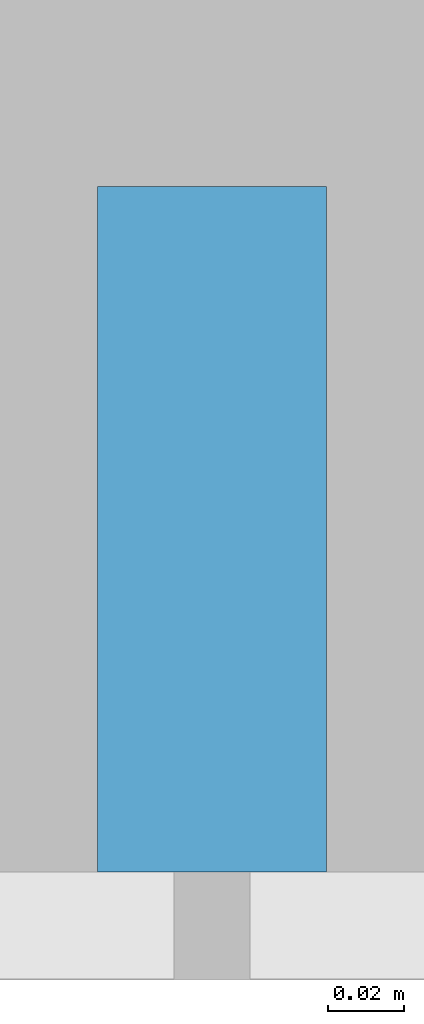
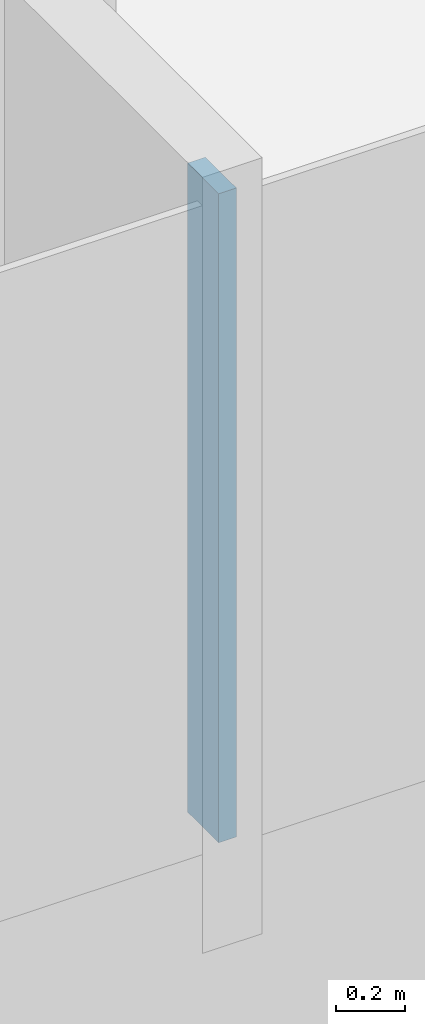
# One storey, part 3 of 26: 1 member, 1 element without a shape of its own.
"""IFC4 building model written with IfcOpenShell, lengths in metres."""

from ifc_helpers import new_model, si_unit, direction, frame, origin, origin_2d, place, context, subcontext, project, spatial, rectangle, extrude, material, layer, layer_set, material_profile, profile_set, type_object, element, aggregate, save


model = new_model("IFC4")

# Units and contexts
model_context = context("Model", 3, precision=1e-05, world=origin(), true_north=direction((0.0, 1.0)))
body_context = subcontext(model_context, "Body", "Model", "MODEL_VIEW")
ifc_project = project(units=[si_unit("LENGTHUNIT", "METRE"), si_unit("AREAUNIT", "SQUARE_METRE"), si_unit("VOLUMEUNIT", "CUBIC_METRE"), si_unit("PLANEANGLEUNIT", "RADIAN"), si_unit("MASSUNIT", "GRAM", prefix="KILO")], contexts=[model_context])

# Site, building, storey
site_placement = place(None, origin())
site = spatial("IfcSite", under=ifc_project, at=site_placement, CompositionType="ELEMENT")
building_placement = place(site_placement, origin())
building = spatial("IfcBuilding", under=site, at=building_placement, Name="Hakoniwa Tower and Hamabe Station Hall", CompositionType="ELEMENT")
storey_placement = place(building_placement, frame((0.0, 0.0, 199.39990234375)))
storey = spatial("IfcBuildingStorey", under=building, at=storey_placement, Name="L56", CompositionType="ELEMENT", Elevation=199.39990234375)

# Curtain wall, member
ifc_material_1 = material(Name="Dark low-e laminated glass", Category="glass")
ifc_layer = layer(ifc_material_1, 0.199951171875)
ifc_layer_set = layer_set([ifc_layer], Name="CW-1 UNITISED GUEST")
curtain_wall_type = type_object("IfcCurtainWallType", Name="CW-1 UNITISED GUEST", PredefinedType="NOTDEFINED", material=ifc_layer_set)
curtain_wall_placement = place(storey_placement, origin())
curtain_wall = element("IfcCurtainWall", 1, at=curtain_wall_placement, inside=storey, type_object=curtain_wall_type, Name="CW-1 curtain wall", PredefinedType="NOTDEFINED")
ifc_material_2 = material(Name="Aluminium 6063-T5 black anodised", Category="aluminium")
ifc_material_profile = material_profile(ifc_material_2, rectangle(XDim=0.06005859375, YDim=0.179931640625, at=origin_2d()), Name="CW-1 MULLION 60X180")
ifc_profile_set = profile_set([ifc_material_profile], Name="Aluminium 6063-T5 black anodised")
member_type = type_object("IfcMemberType", Name="CW-1 MULLION 60X180", PredefinedType="MULLION", material=ifc_profile_set)
member_placement = place(storey_placement, frame((0.0, -15.431884765625, 0.35009765625), z_axis=(0.0, 0.0, 1.0), x_axis=(1.0, 0.0, 0.0)))
member = element("IfcMember", 2, at=member_placement, type_object=member_type, Name="CW-1 mullion", PredefinedType="MULLION", context=body_context, shape_type="SweptSolid", body=[
    extrude(rectangle(XDim=0.06005859375, YDim=0.179931640625, at=origin_2d()), origin(), (0.0, 0.0, 1.0), 2.300048828125),
])
aggregate(curtain_wall, [member])

save(model, "model.ifc")
